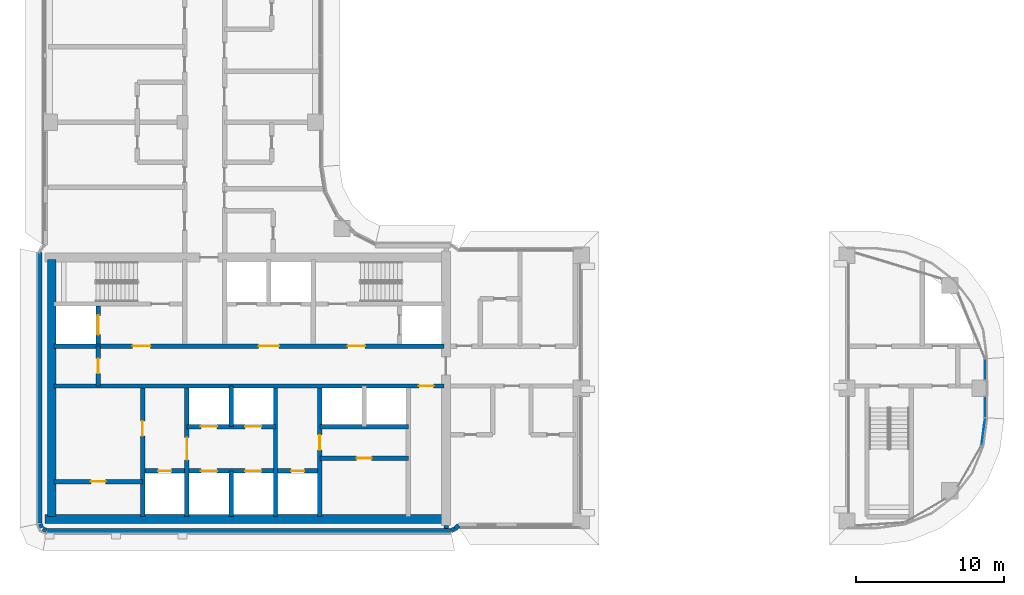
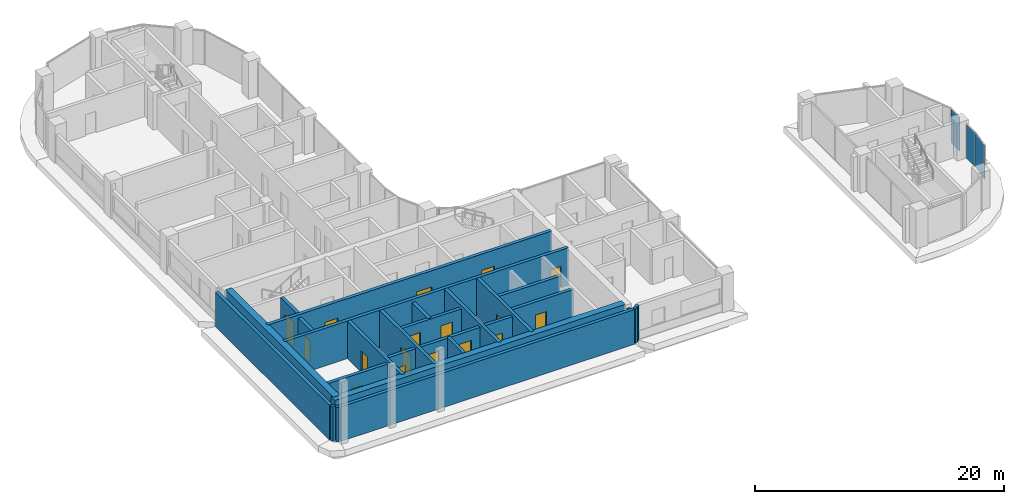
# One storey, part 10 of 24: 24 walls, 17 doors, 3 plates, 17 openings, 3 elements without a shape of their own.
"""IFC4 building model written with IfcOpenShell, lengths in metres."""

from ifc_helpers import new_model, si_unit, direction, frame, frame_2d, origin, origin_2d, place, context, subcontext, project, spatial, rectangle, extrude, material, layer, layer_set, type_object, element, fill, aggregate, save


model = new_model("IFC4")

# Units and contexts
model_context = context("Model", 3, precision=1e-05, world=origin(), true_north=direction((0.0, 1.0)))
body_context = subcontext(model_context, "Body", "Model", "MODEL_VIEW")
ifc_project = project(units=[si_unit("LENGTHUNIT", "METRE"), si_unit("AREAUNIT", "SQUARE_METRE"), si_unit("VOLUMEUNIT", "CUBIC_METRE"), si_unit("PLANEANGLEUNIT", "RADIAN"), si_unit("MASSUNIT", "GRAM", prefix="KILO")], contexts=[model_context])

# Site, building, storey
site_placement = place(None, origin())
site = spatial("IfcSite", under=ifc_project, at=site_placement, CompositionType="ELEMENT")
building_placement = place(site_placement, origin())
building = spatial("IfcBuilding", under=site, at=building_placement, Name="Ogive Portal Towers", CompositionType="ELEMENT")
storey_placement = place(building_placement, frame((0.0, 0.0, 153.300048828125)))
storey = spatial("IfcBuildingStorey", under=building, at=storey_placement, Name="L37", CompositionType="ELEMENT", Elevation=153.300048828125)

# Curtain wall, plate
ifc_material_1 = material(Name="Glass, clear low-iron insulated glazing", Category="glass")
curtain_wall_type = type_object("IfcCurtainWallType", Name="CW FRONT RIBBON 4500", PredefinedType="NOTDEFINED", material=ifc_material_1)
curtain_wall_1_placement = place(storey_placement, origin())
curtain_wall_1 = element("IfcCurtainWall", 1, at=curtain_wall_1_placement, inside=storey, type_object=curtain_wall_type, Name="A:L37:f29:cw0~0", PredefinedType="NOTDEFINED")
ifc_layer_1 = layer(ifc_material_1, 0.028076171875)
ifc_layer_set_1 = layer_set([ifc_layer_1], Name="CW PANEL IGU 28")
plate_type = type_object("IfcPlateType", Name="CW PANEL IGU 28", PredefinedType="CURTAIN_PANEL", material=ifc_layer_set_1)
plate_1_placement = place(storey_placement, frame((94.844970703125, 29.2275390625, 0.0), z_axis=(0.0, 0.0, 1.0), x_axis=(0.0, 1.0, 0.0)))
plate_1 = element("IfcPlate", 2, at=plate_1_placement, type_object=plate_type, Name="panel", PredefinedType="CURTAIN_PANEL", context=body_context, shape_type="SweptSolid", body=[
    extrude(rectangle(XDim=1.384765625, YDim=0.028076171875, at=origin_2d()), origin(), (0.0, 0.0, 1.0), 3.340087890625),
])
aggregate(curtain_wall_1, [plate_1])

curtain_wall_2_placement = place(storey_placement, origin())
curtain_wall_2 = element("IfcCurtainWall", 3, at=curtain_wall_2_placement, inside=storey, type_object=curtain_wall_type, Name="A:L37:f29:cw0~1", PredefinedType="NOTDEFINED")
plate_2_placement = place(storey_placement, frame((94.844970703125, 31.76708984375, 0.0), z_axis=(0.0, 0.0, 1.0), x_axis=(0.0, 1.0, 0.0)))
plate_2 = element("IfcPlate", 4, at=plate_2_placement, type_object=plate_type, Name="panel", PredefinedType="CURTAIN_PANEL", context=body_context, shape_type="SweptSolid", body=[
    extrude(rectangle(XDim=1.3740234375, YDim=0.028076171875, at=origin_2d()), origin(), (0.0, 0.0, 1.0), 3.340087890625),
])
aggregate(curtain_wall_2, [plate_2])

curtain_wall_3_placement = place(storey_placement, origin())
curtain_wall_3 = element("IfcCurtainWall", 5, at=curtain_wall_3_placement, inside=storey, type_object=curtain_wall_type, Name="A:L37:f25:cwa~1", PredefinedType="NOTDEFINED")
plate_3_placement = place(storey_placement, frame((94.719970703125, 27.554931640625, 0.0), z_axis=(0.0, 0.0, 1.0), x_axis=(0.13052619222, 0.991444861374, 0.0)))
plate_3 = element("IfcPlate", 6, at=plate_3_placement, type_object=plate_type, Name="panel", PredefinedType="CURTAIN_PANEL", context=body_context, shape_type="SweptSolid", body=[
    extrude(rectangle(XDim=1.857177734375, YDim=0.028076171875, at=origin_2d()), origin(), (0.0, 0.0, 1.0), 3.340087890625),
])
aggregate(curtain_wall_3, [plate_3])

# Wall, opening, door
ifc_material_2 = material(Name="Concrete C60/75", Category="concrete")
ifc_layer_2 = layer(ifc_material_2, 0.300048828125)
ifc_layer_set_2 = layer_set([ifc_layer_2], Name="CORE WALL 300 C60")
wall_type_1 = type_object("IfcWallType", Name="CORE WALL 300 C60", PredefinedType="SHEAR", material=ifc_layer_set_2)
wall_1_placement = place(storey_placement, frame((37.800048828125, 21.800048828125, 0.0), z_axis=(0.0, 0.0, 1.0), x_axis=(0.0, 1.0, 0.0)))
wall_1 = element("IfcWall", 7, at=wall_1_placement, inside=storey, type_object=wall_type_1, Name="Core wall X1 L37", PredefinedType="SHEAR", context=body_context, shape_type="SweptSolid", body=[
    extrude(rectangle(XDim=8.699951171875, YDim=0.300048828125, at=frame_2d((4.35009765625, 0.0))), origin(), (0.0, 0.0, 1.0), 3.699951171875),
])
opening_1_placement = place(wall_1_placement, frame((5.47509765625, 0.0, 0.0)))
opening_1 = element("IfcOpeningElement", 8, at=opening_1_placement, cuts=wall_1, Name="Opening D15-020", PredefinedType="OPENING", context=body_context, shape_type="SweptSolid", body=[
    extrude(rectangle(XDim=1.0, YDim=2.10009765625, at=frame_2d((0.5, 1.050048828125))), frame((0.0, 0.16015625, 0.0), z_axis=(0.0, -1.0, 0.0), x_axis=(1.0, 0.0, 0.0)), (0.0, 0.0, 1.0), 0.320068359375),
])
ifc_material_3 = material(Name="Steel fire door", Category="steel")
door_type_1 = type_object("IfcDoorType", Name="DT-SWING-1000x2100-FD90S", OperationType="SINGLE_SWING_LEFT", PredefinedType="DOOR", material=ifc_material_3)
door_1_placement = place(opening_1_placement, origin())
door_1 = element("IfcDoor", 9, at=door_1_placement, inside=storey, type_object=door_type_1, Name="Door D15-020", OperationType="SINGLE_SWING_LEFT", OverallHeight=2.10009765625, OverallWidth=1.0, PredefinedType="DOOR", context=body_context, shape_type="SweptSolid", body=[
    extrude(rectangle(XDim=1.0, YDim=2.10009765625, at=frame_2d((0.5, 1.050048828125))), frame((0.0, 0.02490234375, 0.0), z_axis=(0.0, -1.0, 0.0), x_axis=(1.0, 0.0, 0.0)), (0.0, 0.0, 1.0), 0.050048828125),
])
fill(opening_1, door_1)

wall_2_placement = place(storey_placement, frame((40.800048828125, 21.800048828125, 0.0), z_axis=(0.0, 0.0, 1.0), x_axis=(0.0, 1.0, 0.0)))
wall_2 = element("IfcWall", 10, at=wall_2_placement, inside=storey, type_object=wall_type_1, Name="Core wall X2 L37", PredefinedType="SHEAR", context=body_context, shape_type="SweptSolid", body=[
    extrude(rectangle(XDim=8.699951171875, YDim=0.300048828125, at=frame_2d((4.35009765625, 0.0))), origin(), (0.0, 0.0, 1.0), 3.699951171875),
])
opening_2_placement = place(wall_2_placement, frame((3.85009765625, 0.0, 0.0)))
opening_2 = element("IfcOpeningElement", 11, at=opening_2_placement, cuts=wall_2, Name="Opening D15-001", PredefinedType="OPENING", context=body_context, shape_type="SweptSolid", body=[
    extrude(rectangle(XDim=1.5, YDim=2.10009765625, at=frame_2d((0.75, 1.050048828125))), frame((0.0, 0.16015625, 0.0), z_axis=(0.0, -1.0, 0.0), x_axis=(1.0, 0.0, 0.0)), (0.0, 0.0, 1.0), 0.320068359375),
])
door_type_2 = type_object("IfcDoorType", Name="DT-SWING-1500x2100-FD90S", OperationType="SINGLE_SWING_LEFT", PredefinedType="DOOR", material=ifc_material_3)
door_2_placement = place(opening_2_placement, origin())
door_2 = element("IfcDoor", 12, at=door_2_placement, inside=storey, type_object=door_type_2, Name="Door D15-001", OperationType="SINGLE_SWING_RIGHT", OverallHeight=2.10009765625, OverallWidth=1.5, PredefinedType="DOOR", context=body_context, shape_type="SweptSolid", body=[
    extrude(rectangle(XDim=1.5, YDim=2.10009765625, at=frame_2d((0.75, 1.050048828125))), frame((0.0, 0.02490234375, 0.0), z_axis=(0.0, -1.0, 0.0), x_axis=(1.0, 0.0, 0.0)), (0.0, 0.0, 1.0), 0.050048828125),
])
fill(opening_2, door_2)

# Wall
wall_3_placement = place(storey_placement, frame((46.800048828125, 21.800048828125, 0.0), z_axis=(0.0, 0.0, 1.0), x_axis=(0.0, 1.0, 0.0)))
element("IfcWall", 13, at=wall_3_placement, inside=storey, type_object=wall_type_1, Name="Core wall X3 L37", PredefinedType="SHEAR", context=body_context, shape_type="SweptSolid", body=[
    extrude(rectangle(XDim=8.699951171875, YDim=0.300048828125, at=frame_2d((4.35009765625, 0.0))), origin(), (0.0, 0.0, 1.0), 3.699951171875),
])

# Wall, opening, door
wall_4_placement = place(storey_placement, frame((49.800048828125, 21.800048828125, 0.0), z_axis=(0.0, 0.0, 1.0), x_axis=(0.0, 1.0, 0.0)))
wall_4 = element("IfcWall", 14, at=wall_4_placement, inside=storey, type_object=wall_type_1, Name="Core wall X4 L37", PredefinedType="SHEAR", context=body_context, shape_type="SweptSolid", body=[
    extrude(rectangle(XDim=8.699951171875, YDim=0.300048828125, at=frame_2d((4.35009765625, 0.0))), origin(), (0.0, 0.0, 1.0), 3.699951171875),
])
opening_3_placement = place(wall_4_placement, frame((4.52490234375, 0.0, 0.0)))
opening_3 = element("IfcOpeningElement", 15, at=opening_3_placement, cuts=wall_4, Name="Opening D15-022", PredefinedType="OPENING", context=body_context, shape_type="SweptSolid", body=[
    extrude(rectangle(XDim=1.0, YDim=2.10009765625, at=frame_2d((0.5, 1.050048828125))), frame((0.0, 0.16015625, 0.0), z_axis=(0.0, -1.0, 0.0), x_axis=(1.0, 0.0, 0.0)), (0.0, 0.0, 1.0), 0.320068359375),
])
door_3_placement = place(opening_3_placement, origin())
door_3 = element("IfcDoor", 16, at=door_3_placement, inside=storey, type_object=door_type_1, Name="Door D15-022", OperationType="SINGLE_SWING_LEFT", OverallHeight=2.10009765625, OverallWidth=1.0, PredefinedType="DOOR", context=body_context, shape_type="SweptSolid", body=[
    extrude(rectangle(XDim=1.0, YDim=2.10009765625, at=frame_2d((0.5, 1.050048828125))), frame((0.0, 0.02490234375, 0.0), z_axis=(0.0, -1.0, 0.0), x_axis=(1.0, 0.0, 0.0)), (0.0, 0.0, 1.0), 0.050048828125),
])
fill(opening_3, door_3)

wall_5_placement = place(storey_placement, frame((31.800048828125, 30.64990234375, 0.0), z_axis=(0.0, 0.0, 1.0), x_axis=(1.0, 0.0, 0.0)))
wall_5 = element("IfcWall", 17, at=wall_5_placement, inside=storey, type_object=wall_type_1, Name="Core wall Y1 L37", PredefinedType="SHEAR", context=body_context, shape_type="SweptSolid", body=[
    extrude(rectangle(XDim=26.39990234375, YDim=0.300048828125, at=frame_2d((13.199951171875, 0.0))), origin(), (0.0, 0.0, 1.0), 3.699951171875),
])
opening_4_placement = place(wall_5_placement, frame((24.699951171875, 0.0, 0.0)))
opening_4 = element("IfcOpeningElement", 18, at=opening_4_placement, cuts=wall_5, Name="Opening D15-009", PredefinedType="OPENING", context=body_context, shape_type="SweptSolid", body=[
    extrude(rectangle(XDim=1.0, YDim=2.10009765625, at=frame_2d((0.5, 1.050048828125))), frame((0.0, 0.16015625, 0.0), z_axis=(0.0, -1.0, 0.0), x_axis=(1.0, 0.0, 0.0)), (0.0, 0.0, 1.0), 0.320068359375),
])
door_4_placement = place(opening_4_placement, origin())
door_4 = element("IfcDoor", 19, at=door_4_placement, inside=storey, type_object=door_type_1, Name="Door D15-009", OperationType="SINGLE_SWING_LEFT", OverallHeight=2.10009765625, OverallWidth=1.0, PredefinedType="DOOR", context=body_context, shape_type="SweptSolid", body=[
    extrude(rectangle(XDim=1.0, YDim=2.10009765625, at=frame_2d((0.5, 1.050048828125))), frame((0.0, 0.02490234375, 0.0), z_axis=(0.0, -1.0, 0.0), x_axis=(1.0, 0.0, 0.0)), (0.0, 0.0, 1.0), 0.050048828125),
])
fill(opening_4, door_4)

# Wall, openings, doors
wall_6_placement = place(storey_placement, frame((31.800048828125, 33.35009765625, 0.0), z_axis=(0.0, 0.0, 1.0), x_axis=(1.0, 0.0, 0.0)))
wall_6 = element("IfcWall", 20, at=wall_6_placement, inside=storey, type_object=wall_type_1, Name="Core wall Y2 L37", PredefinedType="SHEAR", context=body_context, shape_type="SweptSolid", body=[
    extrude(rectangle(XDim=26.39990234375, YDim=0.300048828125, at=frame_2d((13.199951171875, 0.0))), origin(), (0.0, 0.0, 1.0), 3.699951171875),
])
opening_5_placement = place(wall_6_placement, frame((13.85009765625, 0.0, 0.0)))
opening_5 = element("IfcOpeningElement", 21, at=opening_5_placement, cuts=wall_6, Name="Opening D15-002", PredefinedType="OPENING", context=body_context, shape_type="SweptSolid", body=[
    extrude(rectangle(XDim=1.39990234375, YDim=2.10009765625, at=frame_2d((0.699951171875, 1.050048828125))), frame((0.0, 0.16015625, 0.0), z_axis=(0.0, -1.0, 0.0), x_axis=(1.0, 0.0, 0.0)), (0.0, 0.0, 1.0), 0.320068359375),
])
opening_6_placement = place(wall_6_placement, frame((5.324951171875, 0.0, 0.0)))
opening_6 = element("IfcOpeningElement", 22, at=opening_6_placement, cuts=wall_6, Name="Opening D15-003", PredefinedType="OPENING", context=body_context, shape_type="SweptSolid", body=[
    extrude(rectangle(XDim=1.199951171875, YDim=2.10009765625, at=frame_2d((0.60009765625, 1.050048828125))), frame((0.0, 0.16015625, 0.0), z_axis=(0.0, -1.0, 0.0), x_axis=(1.0, 0.0, 0.0)), (0.0, 0.0, 1.0), 0.320068359375),
])
opening_7_placement = place(wall_6_placement, frame((19.875, 0.0, 0.0)))
opening_7 = element("IfcOpeningElement", 23, at=opening_7_placement, cuts=wall_6, Name="Opening D15-004", PredefinedType="OPENING", context=body_context, shape_type="SweptSolid", body=[
    extrude(rectangle(XDim=1.199951171875, YDim=2.10009765625, at=frame_2d((0.60009765625, 1.050048828125))), frame((0.0, 0.16015625, 0.0), z_axis=(0.0, -1.0, 0.0), x_axis=(1.0, 0.0, 0.0)), (0.0, 0.0, 1.0), 0.320068359375),
])
door_type_3 = type_object("IfcDoorType", Name="DT-SWING-1200x2100-FD90S", OperationType="SINGLE_SWING_LEFT", PredefinedType="DOOR", material=ifc_material_3)
door_5_placement = place(opening_6_placement, origin())
door_5 = element("IfcDoor", 24, at=door_5_placement, inside=storey, type_object=door_type_3, Name="Door D15-003", OperationType="SINGLE_SWING_LEFT", OverallHeight=2.10009765625, OverallWidth=1.199951171875, PredefinedType="DOOR", context=body_context, shape_type="SweptSolid", body=[
    extrude(rectangle(XDim=1.199951171875, YDim=2.10009765625, at=frame_2d((0.60009765625, 1.050048828125))), frame((0.0, 0.02490234375, 0.0), z_axis=(0.0, -1.0, 0.0), x_axis=(1.0, 0.0, 0.0)), (0.0, 0.0, 1.0), 0.050048828125),
])
fill(opening_6, door_5)
door_6_placement = place(opening_7_placement, origin())
door_6 = element("IfcDoor", 25, at=door_6_placement, inside=storey, type_object=door_type_3, Name="Door D15-004", OperationType="SINGLE_SWING_RIGHT", OverallHeight=2.10009765625, OverallWidth=1.199951171875, PredefinedType="DOOR", context=body_context, shape_type="SweptSolid", body=[
    extrude(rectangle(XDim=1.199951171875, YDim=2.10009765625, at=frame_2d((0.60009765625, 1.050048828125))), frame((0.0, 0.02490234375, 0.0), z_axis=(0.0, -1.0, 0.0), x_axis=(1.0, 0.0, 0.0)), (0.0, 0.0, 1.0), 0.050048828125),
])
fill(opening_7, door_6)
door_type_4 = type_object("IfcDoorType", Name="DT-SWING-1400x2100-FD90S", OperationType="SINGLE_SWING_LEFT", PredefinedType="DOOR", material=ifc_material_3)
door_7_placement = place(opening_5_placement, origin())
door_7 = element("IfcDoor", 26, at=door_7_placement, inside=storey, type_object=door_type_4, Name="Door D15-002", OperationType="SINGLE_SWING_RIGHT", OverallHeight=2.10009765625, OverallWidth=1.39990234375, PredefinedType="DOOR", context=body_context, shape_type="SweptSolid", body=[
    extrude(rectangle(XDim=1.39990234375, YDim=2.10009765625, at=frame_2d((0.699951171875, 1.050048828125))), frame((0.0, 0.02490234375, 0.0), z_axis=(0.0, -1.0, 0.0), x_axis=(1.0, 0.0, 0.0)), (0.0, 0.0, 1.0), 0.050048828125),
])
fill(opening_5, door_7)

# Wall, opening, door
wall_7_placement = place(storey_placement, frame((34.800048828125, 33.5, 0.0), z_axis=(0.0, 0.0, 1.0), x_axis=(0.0, 1.0, 0.0)))
wall_7 = element("IfcWall", 27, at=wall_7_placement, inside=storey, type_object=wall_type_1, Name="Core wall X8 L37", PredefinedType="SHEAR", context=body_context, shape_type="SweptSolid", body=[
    extrude(rectangle(XDim=2.550048828125, YDim=0.300048828125, at=frame_2d((1.27490234375, 0.0))), origin(), (0.0, 0.0, 1.0), 3.699951171875),
])
opening_8_placement = place(wall_7_placement, frame((0.625, 0.0, 0.0)))
opening_8 = element("IfcOpeningElement", 28, at=opening_8_placement, cuts=wall_7, Name="Opening D15-018", PredefinedType="OPENING", context=body_context, shape_type="SweptSolid", body=[
    extrude(rectangle(XDim=1.300048828125, YDim=2.39990234375, at=frame_2d((0.64990234375, 1.199951171875))), frame((0.0, 0.16015625, 0.0), z_axis=(0.0, -1.0, 0.0), x_axis=(1.0, 0.0, 0.0)), (0.0, 0.0, 1.0), 0.320068359375),
])
ifc_material_4 = material(Name="Stainless steel", Category="steel")
door_type_5 = type_object("IfcDoorType", Name="DT-LD-1300x2400", OperationType="SLIDING_TO_LEFT", PredefinedType="DOOR", material=ifc_material_4)
door_8_placement = place(opening_8_placement, origin())
door_8 = element("IfcDoor", 29, at=door_8_placement, inside=storey, type_object=door_type_5, Name="Door D15-018", OperationType="SLIDING_TO_LEFT", OverallHeight=2.39990234375, OverallWidth=1.300048828125, PredefinedType="DOOR", context=body_context, shape_type="SweptSolid", body=[
    extrude(rectangle(XDim=1.300048828125, YDim=2.39990234375, at=frame_2d((0.64990234375, 1.199951171875))), frame((0.0, 0.02490234375, 0.0), z_axis=(0.0, -1.0, 0.0), x_axis=(1.0, 0.0, 0.0)), (0.0, 0.0, 1.0), 0.050048828125),
])
fill(opening_8, door_8)

# Walls
ifc_layer_3 = layer(ifc_material_2, 0.60009765625)
ifc_layer_set_3 = layer_set([ifc_layer_3], Name="CORE WALL 600 C60")
wall_type_2 = type_object("IfcWallType", Name="CORE WALL 600 C60", PredefinedType="SHEAR", material=ifc_layer_set_3)
wall_8_placement = place(storey_placement, frame((31.64990234375, 21.800048828125, 0.0), z_axis=(0.0, 0.0, 1.0), x_axis=(0.0, 1.0, 0.0)))
element("IfcWall", 30, at=wall_8_placement, inside=storey, type_object=wall_type_2, Name="Core wall W L37", PredefinedType="SHEAR", context=body_context, shape_type="SweptSolid", body=[
    extrude(rectangle(XDim=17.39990234375, YDim=0.60009765625, at=frame_2d((8.699951171875, 0.0))), origin(), (0.0, 0.0, 1.0), 3.699951171875),
])
wall_9_placement = place(storey_placement, frame((31.199951171875, 21.64990234375, 0.0), z_axis=(0.0, 0.0, 1.0), x_axis=(1.0, 0.0, 0.0)))
element("IfcWall", 31, at=wall_9_placement, inside=storey, type_object=wall_type_2, Name="Core wall S L37", PredefinedType="SHEAR", context=body_context, shape_type="SweptSolid", body=[
    extrude(rectangle(XDim=27.0, YDim=0.60009765625, at=frame_2d((13.5, 0.0))), origin(), (0.0, 0.0, 1.0), 3.699951171875),
])
ifc_material_5 = material(Name="Limestone cladding on lightweight block wall", Category="masonry")
ifc_layer_4 = layer(ifc_material_5, 0.300048828125)
ifc_layer_set_4 = layer_set([ifc_layer_4], Name="EXTERNAL WALL 300 STONE")
wall_type_3 = type_object("IfcWallType", Name="EXTERNAL WALL 300 STONE", PredefinedType="SOLIDWALL", material=ifc_layer_set_4)
wall_10_placement = place(storey_placement, frame((30.85009765625, 39.673583984375, 0.0), z_axis=(0.0, 0.0, 1.0), x_axis=(0.0, -1.0, 0.0)))
element("IfcWall", 32, at=wall_10_placement, inside=storey, type_object=wall_type_3, Name="A:L37:f15:r0:wall", PredefinedType="SOLIDWALL", context=body_context, shape_type="SweptSolid", body=[
    extrude(rectangle(XDim=18.31396484375, YDim=0.300048828125, at=frame_2d((9.156982421875, 0.0))), origin(), (0.0, 0.0, 1.0), 3.39990234375),
])
for number, where, z_axis, x_axis, name in (
    (33, (30.861328125, 21.30224609375, 0.0), (0.0, 0.0, 1.0), (0.38297812142, -0.923757413239, 0.0), "A:L37:f16:r0:wall"),
    (34, (31.0478515625, 20.966796875, 0.0), (0.0, 0.0, 1.0), (0.923757413239, -0.38297812142, 0.0), "A:L37:f17:r0:wall"),
):
    element("IfcWall", number, at=place(storey_placement, frame(where, z_axis=z_axis, x_axis=x_axis)), inside=storey, type_object=wall_type_3, Name=name, PredefinedType="SOLIDWALL", context=body_context, shape_type="SweptSolid", body=[
        extrude(rectangle(XDim=0.275390625, YDim=0.300048828125, at=frame_2d((0.1376953125, 0.0))), origin(), (0.0, 0.0, 1.0), 3.39990234375),
    ])
wall_11_placement = place(storey_placement, frame((31.359619140625, 20.85009765625, 0.0), z_axis=(0.0, 0.0, 1.0), x_axis=(1.0, 0.0, 0.0)))
element("IfcWall", 35, at=wall_11_placement, inside=storey, type_object=wall_type_3, Name="A:L37:f18:r0:wall", PredefinedType="SOLIDWALL", context=body_context, shape_type="SweptSolid", body=[
    extrude(rectangle(XDim=27.28076171875, YDim=0.300048828125, at=frame_2d((13.640380859375, 0.0))), origin(), (0.0, 0.0, 1.0), 3.39990234375),
])
wall_12_placement = place(storey_placement, frame((58.69775390625, 20.861328125, 0.0), z_axis=(0.0, 0.0, 1.0), x_axis=(0.923757413239, 0.38297812142, 0.0)))
element("IfcWall", 36, at=wall_12_placement, inside=storey, type_object=wall_type_3, Name="A:L37:f19:r0:wall", PredefinedType="SOLIDWALL", context=body_context, shape_type="SweptSolid", body=[
    extrude(rectangle(XDim=0.275390625, YDim=0.300048828125, at=frame_2d((0.1376953125, 0.0))), origin(), (0.0, 0.0, 1.0), 3.39990234375),
])
wall_13_placement = place(storey_placement, frame((58.9521484375, 20.966796875, 0.0), z_axis=(0.0, 0.0, 1.0), x_axis=(0.702144810536, 0.712034174065, 0.0)))
element("IfcWall", 37, at=wall_13_placement, inside=storey, type_object=wall_type_3, Name="A:L37:f20:r0:wall", PredefinedType="SOLIDWALL", context=body_context, shape_type="SweptSolid", body=[
    extrude(rectangle(XDim=0.345703125, YDim=0.300048828125, at=frame_2d((0.1728515625, 0.0))), origin(), (0.0, 0.0, 1.0), 3.39990234375),
])

# Wall, opening, door
ifc_material_6 = material(Name="Gypsum board partition on steel studs", Category="steel")
ifc_layer_5 = layer(ifc_material_6, 0.300048828125)
ifc_layer_set_5 = layer_set([ifc_layer_5], Name="WT-PART-300")
wall_type_4 = type_object("IfcWallType", Name="WT-PART-300", PredefinedType="PARTITIONING", material=ifc_layer_set_5)
wall_14_placement = place(storey_placement, frame((31.800048828125, 24.173095703125, 0.0), z_axis=(0.0, 0.0, 1.0), x_axis=(1.0, 0.0, 0.0)))
wall_14 = element("IfcWall", 38, at=wall_14_placement, inside=storey, type_object=wall_type_4, Name="Wall pw:001:L37", PredefinedType="PARTITIONING", context=body_context, shape_type="SweptSolid", body=[
    extrude(rectangle(XDim=6.0, YDim=0.300048828125, at=frame_2d((3.0, 0.0))), origin(), (0.0, 0.0, 1.0), 3.39990234375),
])
opening_9_placement = place(wall_14_placement, frame((2.5, 0.0, 0.0)))
opening_9 = element("IfcOpeningElement", 39, at=opening_9_placement, cuts=wall_14, Name="Opening D15-021", PredefinedType="OPENING", context=body_context, shape_type="SweptSolid", body=[
    extrude(rectangle(XDim=1.0, YDim=2.10009765625, at=frame_2d((0.5, 1.050048828125))), frame((0.0, 0.16015625, 0.0), z_axis=(0.0, -1.0, 0.0), x_axis=(1.0, 0.0, 0.0)), (0.0, 0.0, 1.0), 0.320068359375),
])
door_type_6 = type_object("IfcDoorType", Name="DT-SWING-1000x2100-FD60S", OperationType="SINGLE_SWING_LEFT", PredefinedType="DOOR", material=ifc_material_3)
door_9_placement = place(opening_9_placement, origin())
door_9 = element("IfcDoor", 40, at=door_9_placement, inside=storey, type_object=door_type_6, Name="Riser access door D15-021", OperationType="SINGLE_SWING_RIGHT", OverallHeight=2.10009765625, OverallWidth=1.0, PredefinedType="DOOR", context=body_context, shape_type="SweptSolid", body=[
    extrude(rectangle(XDim=1.0, YDim=2.10009765625, at=frame_2d((0.5, 1.050048828125))), frame((0.0, 0.02490234375, 0.0), z_axis=(0.0, -1.0, 0.0), x_axis=(1.0, 0.0, 0.0)), (0.0, 0.0, 1.0), 0.050048828125),
])
fill(opening_9, door_9)

wall_15_placement = place(storey_placement, frame((49.800048828125, 25.75, 0.0), z_axis=(0.0, 0.0, 1.0), x_axis=(1.0, 0.0, 0.0)))
wall_15 = element("IfcWall", 41, at=wall_15_placement, inside=storey, type_object=wall_type_4, Name="Wall pw:003:L37", PredefinedType="PARTITIONING", context=body_context, shape_type="SweptSolid", body=[
    extrude(rectangle(XDim=6.0, YDim=0.300048828125, at=frame_2d((3.0, 0.0))), origin(), (0.0, 0.0, 1.0), 3.39990234375),
])
opening_10_placement = place(wall_15_placement, frame((2.5, 0.0, 0.0)))
opening_10 = element("IfcOpeningElement", 42, at=opening_10_placement, cuts=wall_15, Name="Opening D15-023", PredefinedType="OPENING", context=body_context, shape_type="SweptSolid", body=[
    extrude(rectangle(XDim=1.0, YDim=2.10009765625, at=frame_2d((0.5, 1.050048828125))), frame((0.0, 0.16015625, 0.0), z_axis=(0.0, -1.0, 0.0), x_axis=(1.0, 0.0, 0.0)), (0.0, 0.0, 1.0), 0.320068359375),
])
door_10_placement = place(opening_10_placement, origin())
door_10 = element("IfcDoor", 43, at=door_10_placement, inside=storey, type_object=door_type_6, Name="Door D15-023", OperationType="SINGLE_SWING_RIGHT", OverallHeight=2.10009765625, OverallWidth=1.0, PredefinedType="DOOR", context=body_context, shape_type="SweptSolid", body=[
    extrude(rectangle(XDim=1.0, YDim=2.10009765625, at=frame_2d((0.5, 1.050048828125))), frame((0.0, 0.02490234375, 0.0), z_axis=(0.0, -1.0, 0.0), x_axis=(1.0, 0.0, 0.0)), (0.0, 0.0, 1.0), 0.050048828125),
])
fill(opening_10, door_10)

# Wall
ifc_layer_6 = layer(ifc_material_6, 0.300048828125)
ifc_layer_set_6 = layer_set([ifc_layer_6], Name="WT-PART-300-EI 120")
wall_type_5 = type_object("IfcWallType", Name="WT-PART-300-EI 120", PredefinedType="PARTITIONING", material=ifc_layer_set_6)
wall_16_placement = place(storey_placement, frame((58.35009765625, 21.199951171875, 0.0), z_axis=(0.0, 0.0, 1.0), x_axis=(0.0, -1.0, 0.0)))
element("IfcWall", 44, at=wall_16_placement, inside=storey, type_object=wall_type_5, Name="Wall L37:wc01", PredefinedType="PARTITIONING", context=body_context, shape_type="SweptSolid", body=[
    extrude(rectangle(XDim=0.18994140625, YDim=0.300048828125, at=frame_2d((0.094970703125, 0.0))), origin(), (0.0, 0.0, 1.0), 3.39990234375),
])

# Wall, openings, doors
ifc_material_7 = material(Name="Concrete C40/50", Category="concrete")
ifc_layer_7 = layer(ifc_material_7, 0.300048828125)
ifc_layer_set_7 = layer_set([ifc_layer_7], Name="WT-SHAFT-300")
wall_type_6 = type_object("IfcWallType", Name="WT-SHAFT-300", PredefinedType="SOLIDWALL", material=ifc_layer_set_7)
wall_17_placement = place(storey_placement, frame((37.800048828125, 24.89990234375, 0.0), z_axis=(0.0, 0.0, 1.0), x_axis=(1.0, 0.0, 0.0)))
wall_17 = element("IfcWall", 45, at=wall_17_placement, inside=storey, type_object=wall_type_6, Name="Wall pw:002:L37", PredefinedType="SOLIDWALL", context=body_context, shape_type="SweptSolid", body=[
    extrude(rectangle(XDim=12.0, YDim=0.300048828125, at=frame_2d((6.0, 0.0))), origin(), (0.0, 0.0, 1.0), 3.39990234375),
])
opening_11_placement = place(wall_17_placement, frame((1.050048828125, 0.0, 0.0)))
opening_11 = element("IfcOpeningElement", 46, at=opening_11_placement, cuts=wall_17, Name="Opening D15-007", PredefinedType="OPENING", context=body_context, shape_type="SweptSolid", body=[
    extrude(rectangle(XDim=0.89990234375, YDim=2.10009765625, at=frame_2d((0.449951171875, 1.050048828125))), frame((0.0, 0.16015625, 0.0), z_axis=(0.0, -1.0, 0.0), x_axis=(1.0, 0.0, 0.0)), (0.0, 0.0, 1.0), 0.320068359375),
])
opening_12_placement = place(wall_17_placement, frame((10.050048828125, 0.0, 0.0)))
opening_12 = element("IfcOpeningElement", 47, at=opening_12_placement, cuts=wall_17, Name="Opening D15-008", PredefinedType="OPENING", context=body_context, shape_type="SweptSolid", body=[
    extrude(rectangle(XDim=0.89990234375, YDim=2.10009765625, at=frame_2d((0.449951171875, 1.050048828125))), frame((0.0, 0.16015625, 0.0), z_axis=(0.0, -1.0, 0.0), x_axis=(1.0, 0.0, 0.0)), (0.0, 0.0, 1.0), 0.320068359375),
])
opening_13_placement = place(wall_17_placement, frame((3.949951171875, 0.0, 0.0)))
opening_13 = element("IfcOpeningElement", 48, at=opening_13_placement, cuts=wall_17, Name="Opening D15-012", PredefinedType="OPENING", context=body_context, shape_type="SweptSolid", body=[
    extrude(rectangle(XDim=1.10009765625, YDim=2.39990234375, at=frame_2d((0.550048828125, 1.199951171875))), frame((0.0, 0.16015625, 0.0), z_axis=(0.0, -1.0, 0.0), x_axis=(1.0, 0.0, 0.0)), (0.0, 0.0, 1.0), 0.320068359375),
])
opening_14_placement = place(wall_17_placement, frame((6.949951171875, 0.0, 0.0)))
opening_14 = element("IfcOpeningElement", 49, at=opening_14_placement, cuts=wall_17, Name="Opening D15-013", PredefinedType="OPENING", context=body_context, shape_type="SweptSolid", body=[
    extrude(rectangle(XDim=1.10009765625, YDim=2.39990234375, at=frame_2d((0.550048828125, 1.199951171875))), frame((0.0, 0.16015625, 0.0), z_axis=(0.0, -1.0, 0.0), x_axis=(1.0, 0.0, 0.0)), (0.0, 0.0, 1.0), 0.320068359375),
])
door_type_7 = type_object("IfcDoorType", Name="DT-LD-1100x2400", OperationType="SLIDING_TO_LEFT", PredefinedType="DOOR", material=ifc_material_4)
door_11_placement = place(opening_13_placement, origin())
door_11 = element("IfcDoor", 50, at=door_11_placement, inside=storey, type_object=door_type_7, Name="Door D15-012", OperationType="SLIDING_TO_LEFT", OverallHeight=2.39990234375, OverallWidth=1.10009765625, PredefinedType="DOOR", context=body_context, shape_type="SweptSolid", body=[
    extrude(rectangle(XDim=1.10009765625, YDim=2.39990234375, at=frame_2d((0.550048828125, 1.199951171875))), frame((0.0, 0.02490234375, 0.0), z_axis=(0.0, -1.0, 0.0), x_axis=(1.0, 0.0, 0.0)), (0.0, 0.0, 1.0), 0.050048828125),
])
fill(opening_13, door_11)
door_12_placement = place(opening_14_placement, origin())
door_12 = element("IfcDoor", 51, at=door_12_placement, inside=storey, type_object=door_type_7, Name="Door D15-013", OperationType="SLIDING_TO_LEFT", OverallHeight=2.39990234375, OverallWidth=1.10009765625, PredefinedType="DOOR", context=body_context, shape_type="SweptSolid", body=[
    extrude(rectangle(XDim=1.10009765625, YDim=2.39990234375, at=frame_2d((0.550048828125, 1.199951171875))), frame((0.0, 0.02490234375, 0.0), z_axis=(0.0, -1.0, 0.0), x_axis=(1.0, 0.0, 0.0)), (0.0, 0.0, 1.0), 0.050048828125),
])
fill(opening_14, door_12)
door_type_8 = type_object("IfcDoorType", Name="DT-SWING-900x2100-FD90S", OperationType="SINGLE_SWING_LEFT", PredefinedType="DOOR", material=ifc_material_3)
door_13_placement = place(opening_11_placement, origin())
door_13 = element("IfcDoor", 52, at=door_13_placement, inside=storey, type_object=door_type_8, Name="Riser access door D15-007", OperationType="SINGLE_SWING_LEFT", OverallHeight=2.10009765625, OverallWidth=0.89990234375, PredefinedType="DOOR", context=body_context, shape_type="SweptSolid", body=[
    extrude(rectangle(XDim=0.89990234375, YDim=2.10009765625, at=frame_2d((0.449951171875, 1.050048828125))), frame((0.0, 0.02490234375, 0.0), z_axis=(0.0, -1.0, 0.0), x_axis=(1.0, 0.0, 0.0)), (0.0, 0.0, 1.0), 0.050048828125),
])
fill(opening_11, door_13)
door_14_placement = place(opening_12_placement, origin())
door_14 = element("IfcDoor", 53, at=door_14_placement, inside=storey, type_object=door_type_8, Name="Riser access door D15-008", OperationType="SINGLE_SWING_RIGHT", OverallHeight=2.10009765625, OverallWidth=0.89990234375, PredefinedType="DOOR", context=body_context, shape_type="SweptSolid", body=[
    extrude(rectangle(XDim=0.89990234375, YDim=2.10009765625, at=frame_2d((0.449951171875, 1.050048828125))), frame((0.0, 0.02490234375, 0.0), z_axis=(0.0, -1.0, 0.0), x_axis=(1.0, 0.0, 0.0)), (0.0, 0.0, 1.0), 0.050048828125),
])
fill(opening_12, door_14)

wall_18_placement = place(storey_placement, frame((40.800048828125, 27.89990234375, 0.0), z_axis=(0.0, 0.0, 1.0), x_axis=(1.0, 0.0, 0.0)))
wall_18 = element("IfcWall", 54, at=wall_18_placement, inside=storey, type_object=wall_type_6, Name="Wall pw:004:L37", PredefinedType="SOLIDWALL", context=body_context, shape_type="SweptSolid", body=[
    extrude(rectangle(XDim=6.0, YDim=0.300048828125, at=frame_2d((3.0, 0.0))), origin(), (0.0, 0.0, 1.0), 3.39990234375),
])
opening_15_placement = place(wall_18_placement, frame((0.949951171875, 0.0, 0.0)))
opening_15 = element("IfcOpeningElement", 55, at=opening_15_placement, cuts=wall_18, Name="Opening D15-014", PredefinedType="OPENING", context=body_context, shape_type="SweptSolid", body=[
    extrude(rectangle(XDim=1.10009765625, YDim=2.39990234375, at=frame_2d((0.550048828125, 1.199951171875))), frame((0.0, 0.16015625, 0.0), z_axis=(0.0, -1.0, 0.0), x_axis=(1.0, 0.0, 0.0)), (0.0, 0.0, 1.0), 0.320068359375),
])
opening_16_placement = place(wall_18_placement, frame((3.949951171875, 0.0, 0.0)))
opening_16 = element("IfcOpeningElement", 56, at=opening_16_placement, cuts=wall_18, Name="Opening D15-015", PredefinedType="OPENING", context=body_context, shape_type="SweptSolid", body=[
    extrude(rectangle(XDim=1.10009765625, YDim=2.39990234375, at=frame_2d((0.550048828125, 1.199951171875))), frame((0.0, 0.16015625, 0.0), z_axis=(0.0, -1.0, 0.0), x_axis=(1.0, 0.0, 0.0)), (0.0, 0.0, 1.0), 0.320068359375),
])
door_15_placement = place(opening_15_placement, origin())
door_15 = element("IfcDoor", 57, at=door_15_placement, inside=storey, type_object=door_type_7, Name="Door D15-014", OperationType="SLIDING_TO_LEFT", OverallHeight=2.39990234375, OverallWidth=1.10009765625, PredefinedType="DOOR", context=body_context, shape_type="SweptSolid", body=[
    extrude(rectangle(XDim=1.10009765625, YDim=2.39990234375, at=frame_2d((0.550048828125, 1.199951171875))), frame((0.0, 0.02490234375, 0.0), z_axis=(0.0, -1.0, 0.0), x_axis=(1.0, 0.0, 0.0)), (0.0, 0.0, 1.0), 0.050048828125),
])
fill(opening_15, door_15)
door_16_placement = place(opening_16_placement, origin())
door_16 = element("IfcDoor", 58, at=door_16_placement, inside=storey, type_object=door_type_7, Name="Door D15-015", OperationType="SLIDING_TO_LEFT", OverallHeight=2.39990234375, OverallWidth=1.10009765625, PredefinedType="DOOR", context=body_context, shape_type="SweptSolid", body=[
    extrude(rectangle(XDim=1.10009765625, YDim=2.39990234375, at=frame_2d((0.550048828125, 1.199951171875))), frame((0.0, 0.02490234375, 0.0), z_axis=(0.0, -1.0, 0.0), x_axis=(1.0, 0.0, 0.0)), (0.0, 0.0, 1.0), 0.050048828125),
])
fill(opening_16, door_16)

# Wall
wall_19_placement = place(storey_placement, frame((49.800048828125, 27.89990234375, 0.0), z_axis=(0.0, 0.0, 1.0), x_axis=(1.0, 0.0, 0.0)))
element("IfcWall", 59, at=wall_19_placement, inside=storey, type_object=wall_type_6, Name="Wall pw:005:L37", PredefinedType="SOLIDWALL", context=body_context, shape_type="SweptSolid", body=[
    extrude(rectangle(XDim=6.0, YDim=0.300048828125, at=frame_2d((3.0, 0.0))), origin(), (0.0, 0.0, 1.0), 3.39990234375),
])

# Wall, opening, door
wall_20_placement = place(storey_placement, frame((34.800048828125, 30.64990234375, 0.0), z_axis=(0.0, 0.0, 1.0), x_axis=(0.0, 1.0, 0.0)))
wall_20 = element("IfcWall", 60, at=wall_20_placement, inside=storey, type_object=wall_type_6, Name="Wall pw:006:L37", PredefinedType="SOLIDWALL", context=body_context, shape_type="SweptSolid", body=[
    extrude(rectangle(XDim=2.7001953125, YDim=0.300048828125, at=frame_2d((1.35009765625, 0.0))), origin(), (0.0, 0.0, 1.0), 3.39990234375),
])
opening_17_placement = place(wall_20_placement, frame((0.85009765625, 0.0, 0.0)))
opening_17 = element("IfcOpeningElement", 61, at=opening_17_placement, cuts=wall_20, Name="Opening D15-024", PredefinedType="OPENING", context=body_context, shape_type="SweptSolid", body=[
    extrude(rectangle(XDim=1.0, YDim=2.10009765625, at=frame_2d((0.5, 1.050048828125))), frame((0.0, 0.16015625, 0.0), z_axis=(0.0, -1.0, 0.0), x_axis=(1.0, 0.0, 0.0)), (0.0, 0.0, 1.0), 0.320068359375),
])
door_17_placement = place(opening_17_placement, origin())
door_17 = element("IfcDoor", 62, at=door_17_placement, inside=storey, type_object=door_type_1, Name="Door D15-024", OperationType="SINGLE_SWING_LEFT", OverallHeight=2.10009765625, OverallWidth=1.0, PredefinedType="DOOR", context=body_context, shape_type="SweptSolid", body=[
    extrude(rectangle(XDim=1.0, YDim=2.10009765625, at=frame_2d((0.5, 1.050048828125))), frame((0.0, 0.02490234375, 0.0), z_axis=(0.0, -1.0, 0.0), x_axis=(1.0, 0.0, 0.0)), (0.0, 0.0, 1.0), 0.050048828125),
])
fill(opening_17, door_17)

# Walls
wall_21_placement = place(storey_placement, frame((43.800048828125, 21.800048828125, 0.0), z_axis=(0.0, 0.0, 1.0), x_axis=(0.0, 1.0, 0.0)))
element("IfcWall", 63, at=wall_21_placement, inside=storey, type_object=wall_type_6, Name="Wall pw:007:L37", PredefinedType="SOLIDWALL", context=body_context, shape_type="SweptSolid", body=[
    extrude(rectangle(XDim=3.099853515625, YDim=0.300048828125, at=frame_2d((1.5498046875, 0.0))), origin(), (0.0, 0.0, 1.0), 3.39990234375),
])
wall_22_placement = place(storey_placement, frame((43.800048828125, 27.89990234375, 0.0), z_axis=(0.0, 0.0, 1.0), x_axis=(0.0, 1.0, 0.0)))
element("IfcWall", 64, at=wall_22_placement, inside=storey, type_object=wall_type_6, Name="Wall pw:008:L37", PredefinedType="SOLIDWALL", context=body_context, shape_type="SweptSolid", body=[
    extrude(rectangle(XDim=2.75, YDim=0.300048828125, at=frame_2d((1.375, 0.0))), origin(), (0.0, 0.0, 1.0), 3.39990234375),
])

save(model, "model.ifc")
